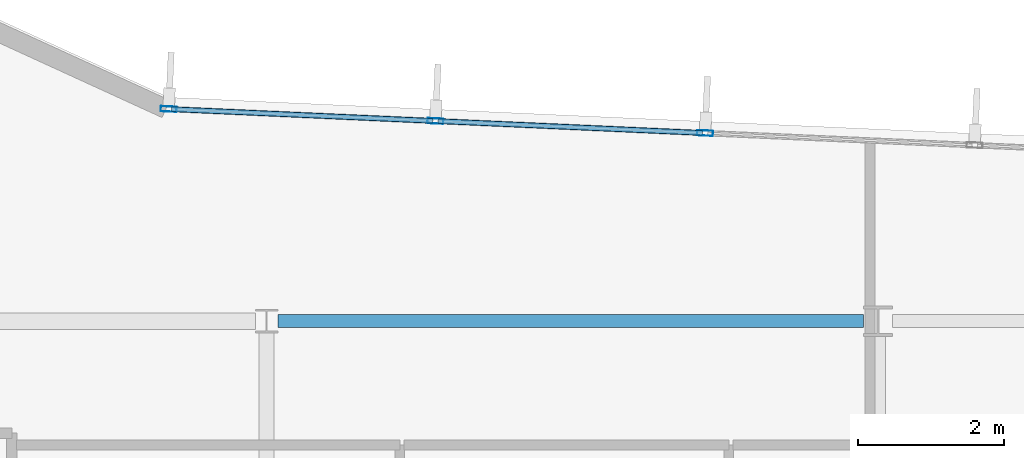
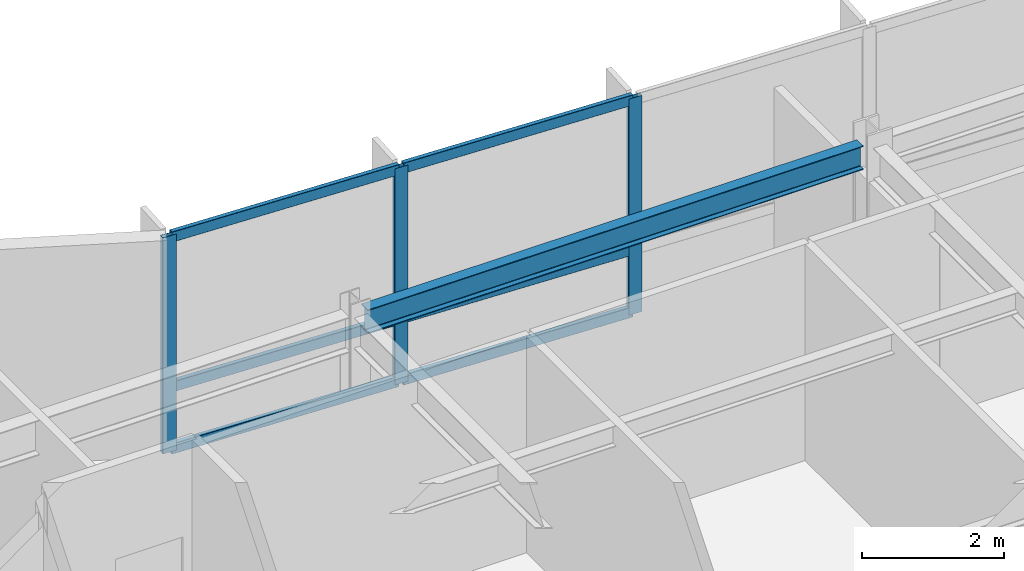
# One storey, part 4 of 17: 9 members, 1 beam, 1 element without a shape of its own.
"""IFC4 building model written with IfcOpenShell, lengths in metres."""

from ifc_helpers import new_model, si_unit, direction, frame, origin, origin_2d, place, context, subcontext, project, spatial, hollow_rectangle, i_section, extrude, material, layer, layer_set, material_profile, profile_set, type_object, element, aggregate, save


model = new_model("IFC4")

# Units and contexts
model_context = context("Model", 3, precision=1e-05, world=origin(), true_north=direction((0.0, 1.0)))
body_context = subcontext(model_context, "Body", "Model", "MODEL_VIEW")
ifc_project = project(units=[si_unit("LENGTHUNIT", "METRE"), si_unit("AREAUNIT", "SQUARE_METRE"), si_unit("VOLUMEUNIT", "CUBIC_METRE"), si_unit("PLANEANGLEUNIT", "RADIAN"), si_unit("MASSUNIT", "GRAM", prefix="KILO")], contexts=[model_context])

# Site, building, storey
site_placement = place(None, origin())
site = spatial("IfcSite", under=ifc_project, at=site_placement, CompositionType="ELEMENT")
building_placement = place(site_placement, origin())
building = spatial("IfcBuilding", under=site, at=building_placement, Name="Varnakote Quay Hospital", CompositionType="ELEMENT")
storey_placement = place(building_placement, frame((0.0, 0.0, 131.0)))
storey = spatial("IfcBuildingStorey", under=building, at=storey_placement, Name="L32", CompositionType="ELEMENT", Elevation=131.0)

# Curtain wall, members
ifc_material_1 = material(Name="Anodised aluminium 6063-T6 Bronze", Category="aluminium")
ifc_layer = layer(ifc_material_1, 0.205078125)
ifc_layer_set = layer_set([ifc_layer], Name="Anodised aluminium 6063-T6 Bronze")
curtain_wall_type = type_object("IfcCurtainWallType", Name="CW-SYS-3", PredefinedType="NOTDEFINED", material=ifc_layer_set)
curtain_wall_placement = place(storey_placement, origin())
curtain_wall = element("IfcCurtainWall", 1, at=curtain_wall_placement, inside=storey, type_object=curtain_wall_type, Name="L32 Unitised Bronze Curtain Wall 2", PredefinedType="NOTDEFINED")
ifc_material_2 = material(Name="Anodised aluminium 6063-T6 Bronze", Category="aluminium")
ifc_material_profile_1 = material_profile(ifc_material_2, hollow_rectangle(XDim=0.074951171875, YDim=0.219970703125, WallThickness=0.00439453125, InnerFilletRadius=0.00439453125, OuterFilletRadius=0.009033203125, at=origin_2d()), Name="CW-MULL-220x75")
ifc_profile_set_1 = profile_set([ifc_material_profile_1], Name="Anodised aluminium 6063-T6 Bronze")
member_type_1 = type_object("IfcMemberType", Name="CW-MULL-220x75", PredefinedType="MULLION", material=ifc_profile_set_1)
member_1_placement = place(storey_placement, frame((31.223876953125, 31.383544921875, 0.0), z_axis=(0.0, 0.0, 1.0), x_axis=(-0.044782334659, -0.998996768014, 0.0)))
member_1 = element("IfcMember", 2, at=member_1_placement, type_object=member_type_1, Name="-3-L32-2 mullion 3", PredefinedType="MULLION", context=body_context, shape_type="SweptSolid", body=[
    extrude(hollow_rectangle(XDim=0.074951171875, YDim=0.219970703125, WallThickness=0.00439453125, InnerFilletRadius=0.00439453125, OuterFilletRadius=0.009033203125, at=origin_2d()), origin(), (0.0, 0.0, 1.0), 3.7099609375),
])
member_2_placement = place(storey_placement, frame((27.520751953125, 31.549560546875, 0.0), z_axis=(0.0, 0.0, 1.0), x_axis=(-0.044782334659, -0.998996768014, 0.0)))
member_2 = element("IfcMember", 3, at=member_2_placement, type_object=member_type_1, Name="-3-L32-2 mullion 4", PredefinedType="MULLION", context=body_context, shape_type="SweptSolid", body=[
    extrude(hollow_rectangle(XDim=0.074951171875, YDim=0.219970703125, WallThickness=0.00439453125, InnerFilletRadius=0.00439453125, OuterFilletRadius=0.009033203125, at=origin_2d()), origin(), (0.0, 0.0, 1.0), 3.7099609375),
])
member_3_placement = place(storey_placement, frame((23.855224609375, 31.7138671875, 0.0), z_axis=(0.0, 0.0, 1.0), x_axis=(-0.044782334659, -0.998996768014, 0.0)))
member_3 = element("IfcMember", 4, at=member_3_placement, type_object=member_type_1, Name="-3-L32-2 mullion 5", PredefinedType="MULLION", context=body_context, shape_type="SweptSolid", body=[
    extrude(hollow_rectangle(XDim=0.074951171875, YDim=0.219970703125, WallThickness=0.00439453125, InnerFilletRadius=0.00439453125, OuterFilletRadius=0.009033203125, at=origin_2d()), origin(), (0.0, 0.0, 1.0), 3.7099609375),
])
ifc_material_3 = material(Name="Anodised aluminium 6063-T6 Bronze", Category="aluminium")
ifc_material_profile_2 = material_profile(ifc_material_3, hollow_rectangle(XDim=0.074951171875, YDim=0.179931640625, WallThickness=0.004150390625, InnerFilletRadius=0.004150390625, OuterFilletRadius=0.00830078125, at=origin_2d()), Name="CW-TRAN-180x75")
ifc_profile_set_2 = profile_set([ifc_material_profile_2], Name="Anodised aluminium 6063-T6 Bronze")
member_type_2 = type_object("IfcMemberType", Name="CW-TRAN-180x75", PredefinedType="USERDEFINED", material=ifc_profile_set_2)
member_4_placement = place(storey_placement, frame((31.1865234375, 31.38525390625, 0.03759765625), z_axis=(-0.99899730508, 0.044770352277, 0.0), x_axis=(-0.044770352277, -0.99899730508, 0.0)))
member_4 = element("IfcMember", 5, at=member_4_placement, type_object=member_type_2, Name="-3-L32-2 transom 3.1", ObjectType="TRANSOM", PredefinedType="USERDEFINED", context=body_context, shape_type="SweptSolid", body=[
    extrude(hollow_rectangle(XDim=0.074951171875, YDim=0.179931640625, WallThickness=0.004150390625, InnerFilletRadius=0.004150390625, OuterFilletRadius=0.00830078125, at=origin_2d()), origin(), (0.0, 0.0, 1.0), 3.6318359375),
])
member_5_placement = place(storey_placement, frame((31.1865234375, 31.38525390625, 1.10009765625), z_axis=(-0.99899730508, 0.044770352277, 0.0), x_axis=(-0.044770352277, -0.99899730508, 0.0)))
member_5 = element("IfcMember", 6, at=member_5_placement, type_object=member_type_2, Name="-3-L32-2 transom 3.2", ObjectType="TRANSOM", PredefinedType="USERDEFINED", context=body_context, shape_type="SweptSolid", body=[
    extrude(hollow_rectangle(XDim=0.074951171875, YDim=0.179931640625, WallThickness=0.004150390625, InnerFilletRadius=0.004150390625, OuterFilletRadius=0.00830078125, at=origin_2d()), origin(), (0.0, 0.0, 1.0), 3.6318359375),
])
member_6_placement = place(storey_placement, frame((31.1865234375, 31.38525390625, 3.672607421875), z_axis=(-0.99899730508, 0.044770352277, 0.0), x_axis=(-0.044770352277, -0.99899730508, 0.0)))
member_6 = element("IfcMember", 7, at=member_6_placement, type_object=member_type_2, Name="-3-L32-2 transom 3.3", ObjectType="TRANSOM", PredefinedType="USERDEFINED", context=body_context, shape_type="SweptSolid", body=[
    extrude(hollow_rectangle(XDim=0.074951171875, YDim=0.179931640625, WallThickness=0.004150390625, InnerFilletRadius=0.004150390625, OuterFilletRadius=0.00830078125, at=origin_2d()), origin(), (0.0, 0.0, 1.0), 3.6318359375),
])
member_7_placement = place(storey_placement, frame((27.4833984375, 31.55126953125, 0.03759765625), z_axis=(-0.998997740237, 0.044760641203, 0.0), x_axis=(-0.044760641203, -0.998997740237, 0.0)))
member_7 = element("IfcMember", 8, at=member_7_placement, type_object=member_type_2, Name="-3-L32-2 transom 4.1", ObjectType="TRANSOM", PredefinedType="USERDEFINED", context=body_context, shape_type="SweptSolid", body=[
    extrude(hollow_rectangle(XDim=0.074951171875, YDim=0.179931640625, WallThickness=0.004150390625, InnerFilletRadius=0.004150390625, OuterFilletRadius=0.00830078125, at=origin_2d()), origin(), (0.0, 0.0, 1.0), 3.594482421875),
])
member_8_placement = place(storey_placement, frame((27.4833984375, 31.55126953125, 1.10009765625), z_axis=(-0.998997740237, 0.044760641203, 0.0), x_axis=(-0.044760641203, -0.998997740237, 0.0)))
member_8 = element("IfcMember", 9, at=member_8_placement, type_object=member_type_2, Name="-3-L32-2 transom 4.2", ObjectType="TRANSOM", PredefinedType="USERDEFINED", context=body_context, shape_type="SweptSolid", body=[
    extrude(hollow_rectangle(XDim=0.074951171875, YDim=0.179931640625, WallThickness=0.004150390625, InnerFilletRadius=0.004150390625, OuterFilletRadius=0.00830078125, at=origin_2d()), origin(), (0.0, 0.0, 1.0), 3.594482421875),
])
member_9_placement = place(storey_placement, frame((27.4833984375, 31.55126953125, 3.672607421875), z_axis=(-0.998997740237, 0.044760641203, 0.0), x_axis=(-0.044760641203, -0.998997740237, 0.0)))
member_9 = element("IfcMember", 10, at=member_9_placement, type_object=member_type_2, Name="-3-L32-2 transom 4.3", ObjectType="TRANSOM", PredefinedType="USERDEFINED", context=body_context, shape_type="SweptSolid", body=[
    extrude(hollow_rectangle(XDim=0.074951171875, YDim=0.179931640625, WallThickness=0.004150390625, InnerFilletRadius=0.004150390625, OuterFilletRadius=0.00830078125, at=origin_2d()), origin(), (0.0, 0.0, 1.0), 3.594482421875),
])
aggregate(curtain_wall, [member_1, member_2, member_3, member_4, member_5, member_6, member_7, member_8, member_9])

# Beam
ifc_material_4 = material(Name="Structural steel AS/NZS 3679.1 Grade 350 L0 (fy 340 MPa)", Category="steel")
ifc_material_profile_3 = material_profile(ifc_material_4, i_section(OverallWidth=0.177978515625, OverallDepth=0.406005859375, WebThickness=0.0078125, FlangeThickness=0.0126953125, FilletRadius=0.011474609375, at=origin_2d()), Name="410UB59.7")
ifc_profile_set_3 = profile_set([ifc_material_profile_3], Name="Structural steel AS/NZS 3679.1 Grade 350 L0 (fy 340 MPa)")
beam_type = type_object("IfcBeamType", Name="SPN-STL-410UB59-7", PredefinedType="SPANDREL", material=ifc_profile_set_3)
beam_placement = place(storey_placement, frame((25.3544921875, 28.800048828125, 3.507080078125), z_axis=(1.0, 0.0, 0.0), x_axis=(0.0, 1.0, 0.0)))
element("IfcBeam", 11, at=beam_placement, inside=storey, type_object=beam_type, Name="L32 Perimeter Spandrel Beam", PredefinedType="SPANDREL", context=body_context, shape_type="SweptSolid", body=[
    extrude(i_section(OverallWidth=0.177978515625, OverallDepth=0.406005859375, WebThickness=0.0078125, FlangeThickness=0.0126953125, FilletRadius=0.011474609375, at=origin_2d()), origin(), (0.0, 0.0, 1.0), 8.04541015625),
])

save(model, "model.ifc")
